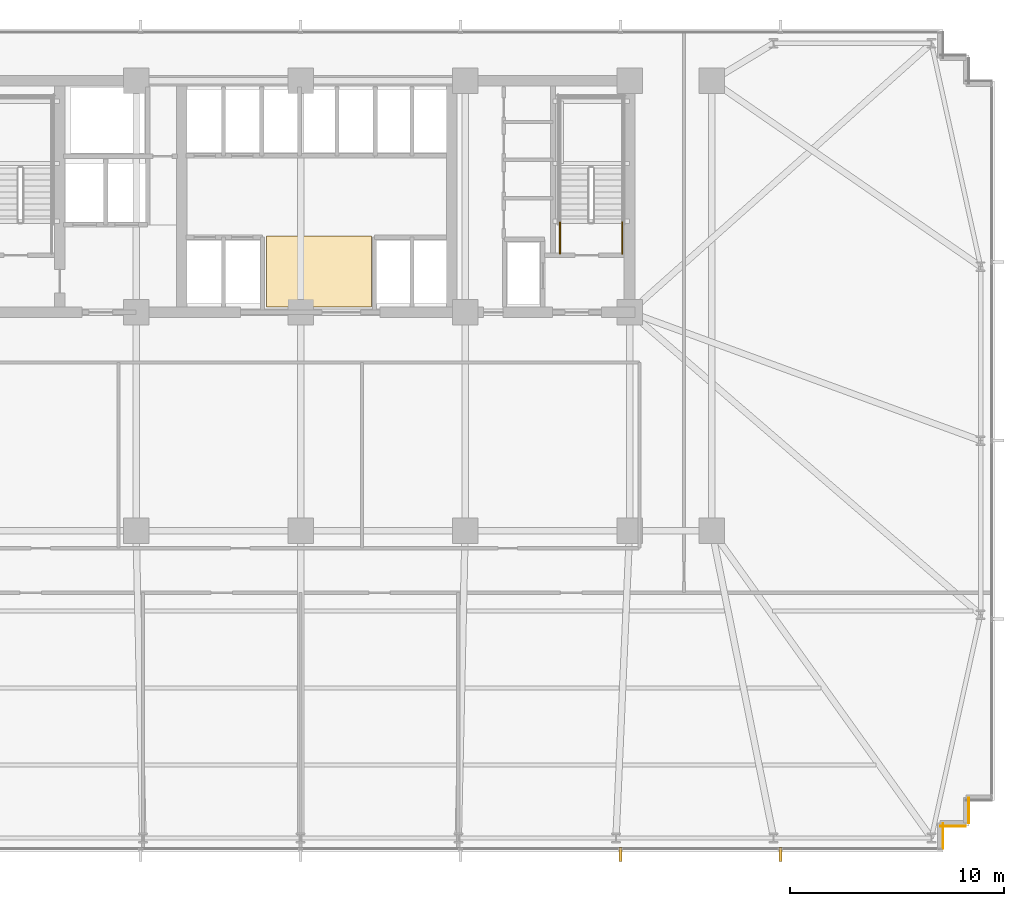
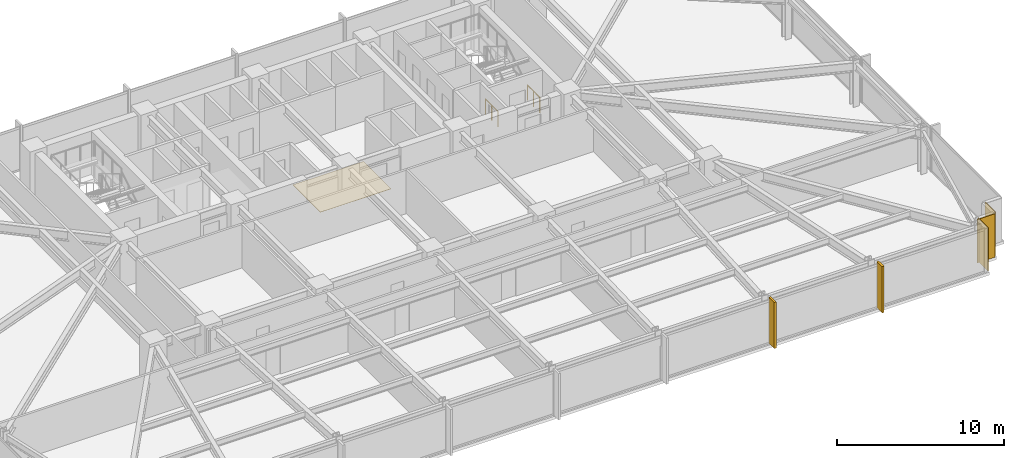
# One storey, part 29 of 33: 4 coverings, 2 railings, 2 shading devices.
"""IFC4 building model written with IfcOpenShell, lengths in metres."""

from ifc_helpers import new_model, si_unit, direction, frame, frame_2d, origin, origin_2d, place, context, subcontext, project, spatial, polyline, rectangle, circle, outline, extrude, material, layer, layer_set, type_object, element, save


model = new_model("IFC4")

# Units and contexts
model_context = context("Model", 3, precision=1e-05, world=origin(), true_north=direction((0.0, 1.0)))
body_context = subcontext(model_context, "Body", "Model", "MODEL_VIEW")
ifc_project = project(units=[si_unit("LENGTHUNIT", "METRE"), si_unit("AREAUNIT", "SQUARE_METRE"), si_unit("VOLUMEUNIT", "CUBIC_METRE"), si_unit("PLANEANGLEUNIT", "RADIAN"), si_unit("MASSUNIT", "GRAM", prefix="KILO")], contexts=[model_context])

# Site, building, storey
site_placement = place(None, origin())
site = spatial("IfcSite", under=ifc_project, at=site_placement, CompositionType="ELEMENT")
building_placement = place(site_placement, origin())
building = spatial("IfcBuilding", under=site, at=building_placement, Name="Yelkora Congress Tower", CompositionType="ELEMENT")
storey_placement = place(building_placement, frame((0.0, 0.0, 47.39990234375)))
storey = spatial("IfcBuildingStorey", under=building, at=storey_placement, Name="L11", CompositionType="ELEMENT", Elevation=47.39990234375)

# Coverings
ifc_material_1 = material(Name="Anatolian bush-hammered limestone", Category="masonry")
ifc_layer_1 = layer(ifc_material_1, 0.0400390625)
ifc_layer_set_1 = layer_set([ifc_layer_1], Name="Anatolian bush-hammered limestone")
covering_type_1 = type_object("IfcCoveringType", Name="COV-CLAD-SPANDREL-40", PredefinedType="CLADDING", material=ifc_layer_set_1)
for number, where, z_axis, x_axis, name in (
    (1, (69.594970703125, 12.739990234375, 0.0), (0.0, 0.0, 1.0), (0.0, -1.0, 0.0), "L11 Anatolian Limestone Cladding EW-L11-SR17"),
    (2, (69.4599609375, 11.405029296875, 0.0), (0.0, 0.0, 1.0), (-1.0, 0.0, 0.0), "L11 Anatolian Limestone Cladding EW-L11-SR18"),
    (3, (68.39501953125, 11.5400390625, 0.0), (0.0, 0.0, 1.0), (0.0, -1.0, 0.0), "L11 Anatolian Limestone Cladding EW-L11-SR19"),
):
    element("IfcCovering", number, at=place(storey_placement, frame(where, z_axis=z_axis, x_axis=x_axis)), inside=storey, type_object=covering_type_1, Name=name, PredefinedType="CLADDING", context=body_context, shape_type="SweptSolid", body=[
        extrude(rectangle(XDim=1.199951171875, YDim=0.0400390625, at=frame_2d((0.60009765625, 0.0))), origin(), (0.0, 0.0, 1.0), 3.18017578125),
    ])
ifc_material_2 = material(Name="Polished Anatolian grey granite tile", Category="masonry")
ifc_layer_2 = layer(ifc_material_2, 0.02001953125)
ifc_layer_set_2 = layer_set([ifc_layer_2], Name="Polished Anatolian grey granite tile")
covering_type_2 = type_object("IfcCoveringType", Name="COV-FLOOR-GRANITE-20", PredefinedType="FLOORING", material=ifc_layer_set_2)
covering_placement = place(storey_placement, origin())
element("IfcCovering", 4, at=covering_placement, inside=storey, type_object=covering_type_2, Name="L11 Lift Lobby Granite Flooring", PredefinedType="FLOORING", context=body_context, shape_type="SweptSolid", body=[
    extrude(outline(polyline([(36.800048828125, 35.64990234375), (41.699951171875, 35.64990234375), (41.699951171875, 38.949951171875), (36.800048828125, 38.949951171875), (36.800048828125, 35.64990234375)])), origin(), (0.0, 0.0, 1.0), 0.02001953125),
])

# Railings
ifc_material_3 = material(Name="Painted galvanised steel stair well guard with vertical infill", Category="steel")
ifc_layer_3 = layer(ifc_material_3, 0.06005859375)
ifc_layer_set_3 = layer_set([ifc_layer_3], Name="Painted galvanised steel stair well guard with vertical infill")
railing_type = type_object("IfcRailingType", Name="RAIL-STAIR-GUARD-1120", PredefinedType="GUARDRAIL", material=ifc_layer_set_3)
for number, where, name in (
    (5, (53.409912109375, 38.1201171875, 0.0), "ST-02 L11 Stair Well Guardrail 8"),
    (6, (50.510009765625, 38.1201171875, 0.0), "ST-02 L11 Stair Well Guardrail 9"),
):
    element("IfcRailing", number, at=place(storey_placement, frame(where)), inside=storey, type_object=railing_type, Name=name, PredefinedType="GUARDRAIL", context=body_context, shape_type="SweptSolid", body=[
        extrude(circle(Radius=0.02392578125, at=origin_2d()), frame((0.0, 0.0, 1.09619140625), z_axis=(0.0, 1.0, 0.0), x_axis=(-1.0, 0.0, 0.0)), (0.0, 0.0, 1.0), 1.47998046875),
        extrude(circle(Radius=0.02099609375, at=origin_2d()), origin(), (0.0, 0.0, 1.0), 1.072021484375),
        extrude(circle(Radius=0.02099609375, at=origin_2d()), frame((0.0, 0.739990234375, 0.0)), (0.0, 0.0, 1.0), 1.072021484375),
        extrude(circle(Radius=0.02099609375, at=origin_2d()), frame((0.0, 1.47998046875, 0.0)), (0.0, 0.0, 1.0), 1.072021484375),
    ])

# Shading devices
ifc_material_4 = material(Name="Champagne anodised aluminium", Category="aluminium")
ifc_layer_4 = layer(ifc_material_4, 3.39990234375)
ifc_layer_set_4 = layer_set([ifc_layer_4], Name="Champagne anodised aluminium")
shading_device_type = type_object("IfcShadingDeviceType", Name="SHD-FIN-ALU-640", PredefinedType="USERDEFINED", material=ifc_layer_set_4)
for number, where, z_axis, x_axis, name in (
    (7, (60.794921875, 10.080078125, -0.02978515625), (0.0, 0.0, 1.0), (-1.0, 0.0, 0.0), "L11 Vertical Anodised Solar Fin 20-1"),
    (8, (53.330078125, 10.080078125, -0.02978515625), (0.0, 0.0, 1.0), (-1.0, 0.0, 0.0), "L11 Vertical Anodised Solar Fin 20-2"),
):
    element("IfcShadingDevice", number, at=place(storey_placement, frame(where, z_axis=z_axis, x_axis=x_axis)), inside=storey, type_object=shading_device_type, Name=name, ObjectType="FIN", PredefinedType="USERDEFINED", context=body_context, shape_type="SweptSolid", body=[
        extrude(rectangle(XDim=0.139892578125, YDim=0.639892578125, at=origin_2d()), origin(), (0.0, 0.0, 1.0), 3.3798828125),
    ])

save(model, "model.ifc")
